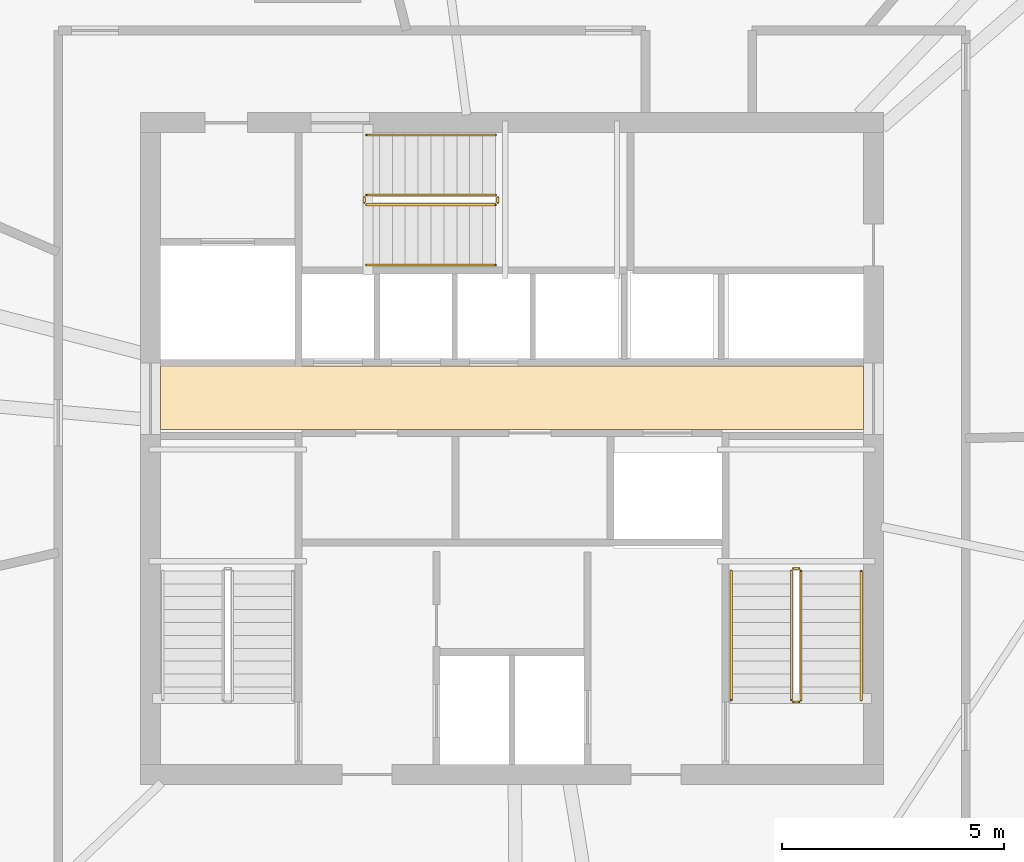
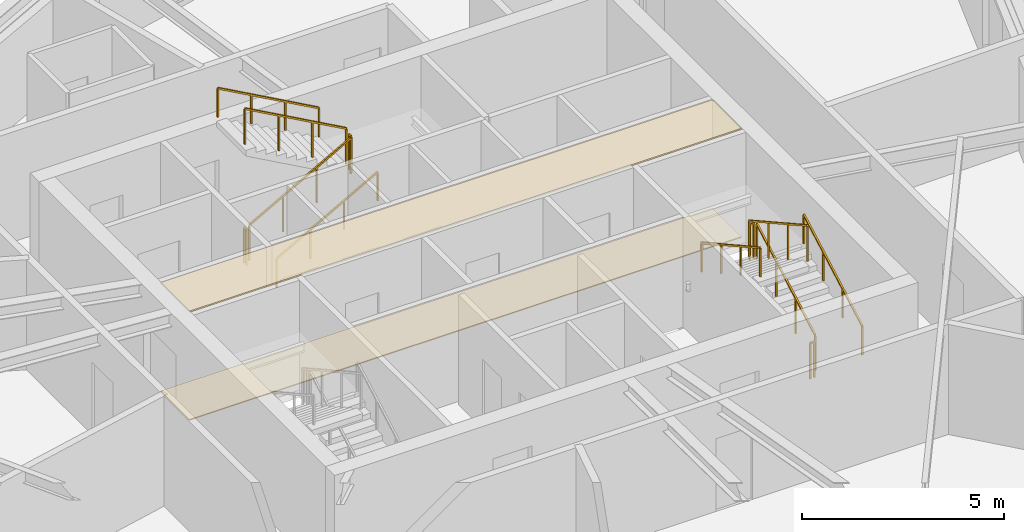
# One storey, part 13 of 15: 12 railings, 2 coverings.
"""IFC4 building model written with IfcOpenShell, lengths in metres."""

from ifc_helpers import new_model, si_unit, direction, frame, origin, origin_2d, place, context, subcontext, project, spatial, polyline, rectangle, outline, extrude, material, layer, layer_set, type_object, element, save


model = new_model("IFC4")

# Units and contexts
model_context = context("Model", 3, precision=1e-05, world=origin(), true_north=direction((0.0, 1.0)))
body_context = subcontext(model_context, "Body", "Model", "MODEL_VIEW")
ifc_project = project(units=[si_unit("LENGTHUNIT", "METRE"), si_unit("AREAUNIT", "SQUARE_METRE"), si_unit("VOLUMEUNIT", "CUBIC_METRE"), si_unit("PLANEANGLEUNIT", "RADIAN"), si_unit("MASSUNIT", "GRAM", prefix="KILO")], contexts=[model_context])

# Site, building, storey
site_placement = place(None, origin())
site = spatial("IfcSite", under=ifc_project, at=site_placement, CompositionType="ELEMENT")
building_placement = place(site_placement, origin())
building = spatial("IfcBuilding", under=site, at=building_placement, Name="Olszyna Solenne Hotel", CompositionType="ELEMENT")
storey_placement = place(building_placement, frame((0.0, 0.0, 213.14990234375)))
storey = spatial("IfcBuildingStorey", under=building, at=storey_placement, Name="L56", CompositionType="ELEMENT", Elevation=213.14990234375)

# Coverings
ifc_material_1 = material(Name="Mineral wool acoustic ceiling")
ifc_layer_1 = layer(ifc_material_1, 0.0400390625, Name="Mineral wool acoustic ceiling")
ifc_layer_set_1 = layer_set([ifc_layer_1], Name="Mineral wool acoustic ceiling")
covering_type_1 = type_object("IfcCoveringType", Name="CL-AC1", PredefinedType="CEILING", material=ifc_layer_set_1)
covering_1_placement = place(storey_placement, frame((0.0, 0.0, 3.27001953125)))
element("IfcCovering", 1, at=covering_1_placement, inside=storey, type_object=covering_type_1, Name="Lift lobby acoustic tile ceiling CL-L56-01", PredefinedType="CEILING", context=body_context, shape_type="SweptSolid", body=[
    extrude(outline(polyline([(30.10009765625, 27.030029296875), (45.89990234375, 27.030029296875), (45.89990234375, 28.4599609375), (30.10009765625, 28.4599609375), (30.10009765625, 27.030029296875)])), origin(), (0.0, 0.0, 1.0), 0.0400390625),
])
ifc_material_2 = material(Name="Ceramic floor tile")
ifc_layer_2 = layer(ifc_material_2, 0.030029296875, Name="Ceramic floor tile")
ifc_layer_set_2 = layer_set([ifc_layer_2], Name="Ceramic floor tile")
covering_type_2 = type_object("IfcCoveringType", Name="FL-TL1", PredefinedType="FLOORING", material=ifc_layer_set_2)
covering_2_placement = place(storey_placement, origin())
element("IfcCovering", 2, at=covering_2_placement, inside=storey, type_object=covering_type_2, Name="Lift lobby stoneware floor finish FLR-L56-01", PredefinedType="FLOORING", context=body_context, shape_type="SweptSolid", body=[
    extrude(outline(polyline([(30.10009765625, 27.030029296875), (45.89990234375, 27.030029296875), (45.89990234375, 28.4599609375), (30.10009765625, 28.4599609375), (30.10009765625, 27.030029296875)])), origin(), (0.0, 0.0, 1.0), 0.030029296875),
])

# Railings
ifc_material_3 = material(Name="Anodised bronze aluminium", Category="aluminium")
railing_type_1 = type_object("IfcRailingType", Name="GR-110", PredefinedType="BALUSTRADE", material=ifc_material_3)
railing_1_placement = place(storey_placement, frame((44.5, 20.949951171875, 0.161376953125)))
element("IfcRailing", 3, at=railing_1_placement, inside=storey, type_object=railing_type_1, Name="L56 ST2 stair guard 1", PredefinedType="BALUSTRADE", context=body_context, shape_type="SweptSolid", body=[
    extrude(rectangle(XDim=0.048095703125, YDim=0.048095703125, at=origin_2d()), frame((0.0, 0.0, 1.076171875), z_axis=(0.0, 0.873827439584, 0.48623616261), x_axis=(-1.0, 0.0, 0.0)), (0.0, 0.0, 1.0), 3.31884765625),
    extrude(rectangle(XDim=0.0419921875, YDim=0.0419921875, at=origin_2d()), origin(), (0.0, 0.0, 1.0), 1.052001953125),
    extrude(rectangle(XDim=0.0419921875, YDim=0.0419921875, at=origin_2d()), frame((0.0, 0.966796875, 0.537841796875)), (0.0, 0.0, 1.0), 1.052001953125),
    extrude(rectangle(XDim=0.0419921875, YDim=0.0419921875, at=origin_2d()), frame((0.0, 1.933349609375, 1.075927734375)), (0.0, 0.0, 1.0), 1.052001953125),
    extrude(rectangle(XDim=0.0419921875, YDim=0.0419921875, at=origin_2d()), frame((0.0, 2.900146484375, 1.61376953125)), (0.0, 0.0, 1.0), 1.052001953125),
])
railing_2_placement = place(storey_placement, frame((44.449951171875, 23.89990234375, 1.775146484375)))
element("IfcRailing", 4, at=railing_2_placement, inside=storey, type_object=railing_type_1, Name="L56 ST2 stair guard 2", PredefinedType="BALUSTRADE", context=body_context, shape_type="SweptSolid", body=[
    extrude(rectangle(XDim=0.048095703125, YDim=0.048095703125, at=origin_2d()), frame((0.0, 0.0, 1.076171875), z_axis=(-1.0, 0.0, 0.0), x_axis=(0.0, -1.0, 0.0)), (0.0, 0.0, 1.0), 0.119873046875),
    extrude(rectangle(XDim=0.0419921875, YDim=0.0419921875, at=origin_2d()), origin(), (0.0, 0.0, 1.0), 1.052001953125),
    extrude(rectangle(XDim=0.0419921875, YDim=0.0419921875, at=origin_2d()), frame((-0.119873046875, 0.0, 0.0)), (0.0, 0.0, 1.0), 1.052001953125),
])
railing_3_placement = place(storey_placement, frame((44.280029296875, 23.85009765625, 1.9365234375)))
element("IfcRailing", 5, at=railing_3_placement, inside=storey, type_object=railing_type_1, Name="L56 ST2 stair guard 3", PredefinedType="BALUSTRADE", context=body_context, shape_type="SweptSolid", body=[
    extrude(rectangle(XDim=0.048095703125, YDim=0.048095703125, at=origin_2d()), frame((0.0, 0.0, 1.076171875), z_axis=(0.0, -0.873858693841, 0.486179990537), x_axis=(1.0, 0.0, 0.0)), (0.0, 0.0, 1.0), 3.31884765625),
    extrude(rectangle(XDim=0.0419921875, YDim=0.0419921875, at=origin_2d()), origin(), (0.0, 0.0, 1.0), 1.052001953125),
    extrude(rectangle(XDim=0.0419921875, YDim=0.0419921875, at=origin_2d()), frame((0.0, -0.966796875, 0.537841796875)), (0.0, 0.0, 1.0), 1.052001953125),
    extrude(rectangle(XDim=0.0419921875, YDim=0.0419921875, at=origin_2d()), frame((0.0, -1.933349609375, 1.07568359375)), (0.0, 0.0, 1.0), 1.052001953125),
    extrude(rectangle(XDim=0.0419921875, YDim=0.0419921875, at=origin_2d()), frame((0.0, -2.900146484375, 1.613525390625)), (0.0, 0.0, 1.0), 1.052001953125),
])
railing_4_placement = place(storey_placement, frame((44.449951171875, 20.89990234375, 0.0)))
element("IfcRailing", 6, at=railing_4_placement, inside=storey, type_object=railing_type_1, Name="L56 ST2 stair guard 4", PredefinedType="BALUSTRADE", context=body_context, shape_type="SweptSolid", body=[
    extrude(rectangle(XDim=0.048095703125, YDim=0.048095703125, at=origin_2d()), frame((0.0, 0.0, 1.076171875), z_axis=(-1.0, 0.0, 0.0), x_axis=(0.0, -1.0, 0.0)), (0.0, 0.0, 1.0), 0.119873046875),
    extrude(rectangle(XDim=0.0419921875, YDim=0.0419921875, at=origin_2d()), origin(), (0.0, 0.0, 1.0), 1.052001953125),
    extrude(rectangle(XDim=0.0419921875, YDim=0.0419921875, at=origin_2d()), frame((-0.119873046875, 0.0, 0.0)), (0.0, 0.0, 1.0), 1.052001953125),
])
railing_5_placement = place(storey_placement, frame((34.72998046875, 32.080078125, 0.161376953125)))
element("IfcRailing", 7, at=railing_5_placement, inside=storey, type_object=railing_type_1, Name="L56 ST3 stair guard 1", PredefinedType="BALUSTRADE", context=body_context, shape_type="SweptSolid", body=[
    extrude(rectangle(XDim=0.048095703125, YDim=0.048095703125, at=origin_2d()), frame((0.0, 0.0, 1.076171875), z_axis=(0.873810046276, 0.0, 0.486267419253), x_axis=(0.0, 1.0, 0.0)), (0.0, 0.0, 1.0), 3.318603515625),
    extrude(rectangle(XDim=0.0419921875, YDim=0.0419921875, at=origin_2d()), origin(), (0.0, 0.0, 1.0), 1.052001953125),
    extrude(rectangle(XDim=0.0419921875, YDim=0.0419921875, at=origin_2d()), frame((0.966552734375, 0.0, 0.537841796875)), (0.0, 0.0, 1.0), 1.052001953125),
    extrude(rectangle(XDim=0.0419921875, YDim=0.0419921875, at=origin_2d()), frame((1.933349609375, 0.0, 1.075927734375)), (0.0, 0.0, 1.0), 1.052001953125),
    extrude(rectangle(XDim=0.0419921875, YDim=0.0419921875, at=origin_2d()), frame((2.89990234375, 0.0, 1.61376953125)), (0.0, 0.0, 1.0), 1.052001953125),
])
railing_6_placement = place(storey_placement, frame((37.679931640625, 32.1298828125, 1.775146484375)))
element("IfcRailing", 8, at=railing_6_placement, inside=storey, type_object=railing_type_1, Name="L56 ST3 stair guard 2", PredefinedType="BALUSTRADE", context=body_context, shape_type="SweptSolid", body=[
    extrude(rectangle(XDim=0.048095703125, YDim=0.048095703125, at=origin_2d()), frame((0.0, 0.0, 1.076171875), z_axis=(0.0, 1.0, 0.0), x_axis=(-1.0, 0.0, 0.0)), (0.0, 0.0, 1.0), 0.1201171875),
    extrude(rectangle(XDim=0.0419921875, YDim=0.0419921875, at=origin_2d()), origin(), (0.0, 0.0, 1.0), 1.052001953125),
    extrude(rectangle(XDim=0.0419921875, YDim=0.0419921875, at=origin_2d()), frame((0.0, 0.1201171875, 0.0)), (0.0, 0.0, 1.0), 1.052001953125),
])
railing_7_placement = place(storey_placement, frame((37.6298828125, 32.300048828125, 1.9365234375)))
element("IfcRailing", 9, at=railing_7_placement, inside=storey, type_object=railing_type_1, Name="L56 ST3 stair guard 3", PredefinedType="BALUSTRADE", context=body_context, shape_type="SweptSolid", body=[
    extrude(rectangle(XDim=0.048095703125, YDim=0.048095703125, at=origin_2d()), frame((0.0, 0.0, 1.076171875), z_axis=(-0.873841303929, 0.0, 0.486211245805), x_axis=(0.0, -1.0, 0.0)), (0.0, 0.0, 1.0), 3.318603515625),
    extrude(rectangle(XDim=0.0419921875, YDim=0.0419921875, at=origin_2d()), origin(), (0.0, 0.0, 1.0), 1.052001953125),
    extrude(rectangle(XDim=0.0419921875, YDim=0.0419921875, at=origin_2d()), frame((-0.966552734375, 0.0, 0.537841796875)), (0.0, 0.0, 1.0), 1.052001953125),
    extrude(rectangle(XDim=0.0419921875, YDim=0.0419921875, at=origin_2d()), frame((-1.933349609375, 0.0, 1.07568359375)), (0.0, 0.0, 1.0), 1.052001953125),
    extrude(rectangle(XDim=0.0419921875, YDim=0.0419921875, at=origin_2d()), frame((-2.89990234375, 0.0, 1.613525390625)), (0.0, 0.0, 1.0), 1.052001953125),
])
railing_8_placement = place(storey_placement, frame((34.679931640625, 32.1298828125, 0.0)))
element("IfcRailing", 10, at=railing_8_placement, inside=storey, type_object=railing_type_1, Name="L56 ST3 stair guard 4", PredefinedType="BALUSTRADE", context=body_context, shape_type="SweptSolid", body=[
    extrude(rectangle(XDim=0.048095703125, YDim=0.048095703125, at=origin_2d()), frame((0.0, 0.0, 1.076171875), z_axis=(0.0, 1.0, 0.0), x_axis=(-1.0, 0.0, 0.0)), (0.0, 0.0, 1.0), 0.1201171875),
    extrude(rectangle(XDim=0.0419921875, YDim=0.0419921875, at=origin_2d()), origin(), (0.0, 0.0, 1.0), 1.052001953125),
    extrude(rectangle(XDim=0.0419921875, YDim=0.0419921875, at=origin_2d()), frame((0.0, 0.1201171875, 0.0)), (0.0, 0.0, 1.0), 1.052001953125),
])
ifc_material_4 = material(Name="Steel S355J2", Category="steel")
railing_type_2 = type_object("IfcRailingType", Name="HR-090", PredefinedType="HANDRAIL", material=ifc_material_4)
railing_9_placement = place(storey_placement, frame((45.85009765625, 20.949951171875, 0.161376953125)))
element("IfcRailing", 11, at=railing_9_placement, inside=storey, type_object=railing_type_2, Name="L56 ST2 stair handrail 1", PredefinedType="HANDRAIL", context=body_context, shape_type="SweptSolid", body=[
    extrude(rectangle(XDim=0.048095703125, YDim=0.048095703125, at=origin_2d()), frame((0.0, 0.0, 0.8759765625), z_axis=(0.0, 0.873827439584, 0.48623616261), x_axis=(-1.0, 0.0, 0.0)), (0.0, 0.0, 1.0), 3.31884765625),
    extrude(rectangle(XDim=0.0419921875, YDim=0.0419921875, at=origin_2d()), origin(), (0.0, 0.0, 1.0), 0.851806640625),
    extrude(rectangle(XDim=0.0419921875, YDim=0.0419921875, at=origin_2d()), frame((0.0, 0.966796875, 0.537841796875)), (0.0, 0.0, 1.0), 0.851806640625),
    extrude(rectangle(XDim=0.0419921875, YDim=0.0419921875, at=origin_2d()), frame((0.0, 1.933349609375, 1.075927734375)), (0.0, 0.0, 1.0), 0.851806640625),
    extrude(rectangle(XDim=0.0419921875, YDim=0.0419921875, at=origin_2d()), frame((0.0, 2.900146484375, 1.61376953125)), (0.0, 0.0, 1.0), 0.851806640625),
])
railing_10_placement = place(storey_placement, frame((42.929931640625, 23.85009765625, 1.9365234375)))
element("IfcRailing", 12, at=railing_10_placement, inside=storey, type_object=railing_type_2, Name="L56 ST2 stair handrail 2", PredefinedType="HANDRAIL", context=body_context, shape_type="SweptSolid", body=[
    extrude(rectangle(XDim=0.048095703125, YDim=0.048095703125, at=origin_2d()), frame((0.0, 0.0, 0.8759765625), z_axis=(0.0, -0.873858693841, 0.486179990537), x_axis=(1.0, 0.0, 0.0)), (0.0, 0.0, 1.0), 3.31884765625),
    extrude(rectangle(XDim=0.0419921875, YDim=0.0419921875, at=origin_2d()), origin(), (0.0, 0.0, 1.0), 0.851806640625),
    extrude(rectangle(XDim=0.0419921875, YDim=0.0419921875, at=origin_2d()), frame((0.0, -0.966796875, 0.537841796875)), (0.0, 0.0, 1.0), 0.851806640625),
    extrude(rectangle(XDim=0.0419921875, YDim=0.0419921875, at=origin_2d()), frame((0.0, -1.933349609375, 1.07568359375)), (0.0, 0.0, 1.0), 0.851806640625),
    extrude(rectangle(XDim=0.0419921875, YDim=0.0419921875, at=origin_2d()), frame((0.0, -2.900146484375, 1.613525390625)), (0.0, 0.0, 1.0), 0.851806640625),
])
railing_11_placement = place(storey_placement, frame((34.72998046875, 30.72998046875, 0.161376953125)))
element("IfcRailing", 13, at=railing_11_placement, inside=storey, type_object=railing_type_2, Name="L56 ST3 stair handrail 1", PredefinedType="HANDRAIL", context=body_context, shape_type="SweptSolid", body=[
    extrude(rectangle(XDim=0.048095703125, YDim=0.048095703125, at=origin_2d()), frame((0.0, 0.0, 0.8759765625), z_axis=(0.873810046276, 0.0, 0.486267419253), x_axis=(0.0, 1.0, 0.0)), (0.0, 0.0, 1.0), 3.318603515625),
    extrude(rectangle(XDim=0.0419921875, YDim=0.0419921875, at=origin_2d()), origin(), (0.0, 0.0, 1.0), 0.851806640625),
    extrude(rectangle(XDim=0.0419921875, YDim=0.0419921875, at=origin_2d()), frame((0.966552734375, 0.0, 0.537841796875)), (0.0, 0.0, 1.0), 0.851806640625),
    extrude(rectangle(XDim=0.0419921875, YDim=0.0419921875, at=origin_2d()), frame((1.933349609375, 0.0, 1.075927734375)), (0.0, 0.0, 1.0), 0.851806640625),
    extrude(rectangle(XDim=0.0419921875, YDim=0.0419921875, at=origin_2d()), frame((2.89990234375, 0.0, 1.61376953125)), (0.0, 0.0, 1.0), 0.851806640625),
])
railing_12_placement = place(storey_placement, frame((37.6298828125, 33.64990234375, 1.9365234375)))
element("IfcRailing", 14, at=railing_12_placement, inside=storey, type_object=railing_type_2, Name="L56 ST3 stair handrail 2", PredefinedType="HANDRAIL", context=body_context, shape_type="SweptSolid", body=[
    extrude(rectangle(XDim=0.048095703125, YDim=0.048095703125, at=origin_2d()), frame((0.0, 0.0, 0.8759765625), z_axis=(-0.873841303929, 0.0, 0.486211245805), x_axis=(0.0, -1.0, 0.0)), (0.0, 0.0, 1.0), 3.318603515625),
    extrude(rectangle(XDim=0.0419921875, YDim=0.0419921875, at=origin_2d()), origin(), (0.0, 0.0, 1.0), 0.851806640625),
    extrude(rectangle(XDim=0.0419921875, YDim=0.0419921875, at=origin_2d()), frame((-0.966552734375, 0.0, 0.537841796875)), (0.0, 0.0, 1.0), 0.851806640625),
    extrude(rectangle(XDim=0.0419921875, YDim=0.0419921875, at=origin_2d()), frame((-1.933349609375, 0.0, 1.07568359375)), (0.0, 0.0, 1.0), 0.851806640625),
    extrude(rectangle(XDim=0.0419921875, YDim=0.0419921875, at=origin_2d()), frame((-2.89990234375, 0.0, 1.613525390625)), (0.0, 0.0, 1.0), 0.851806640625),
])

save(model, "model.ifc")
